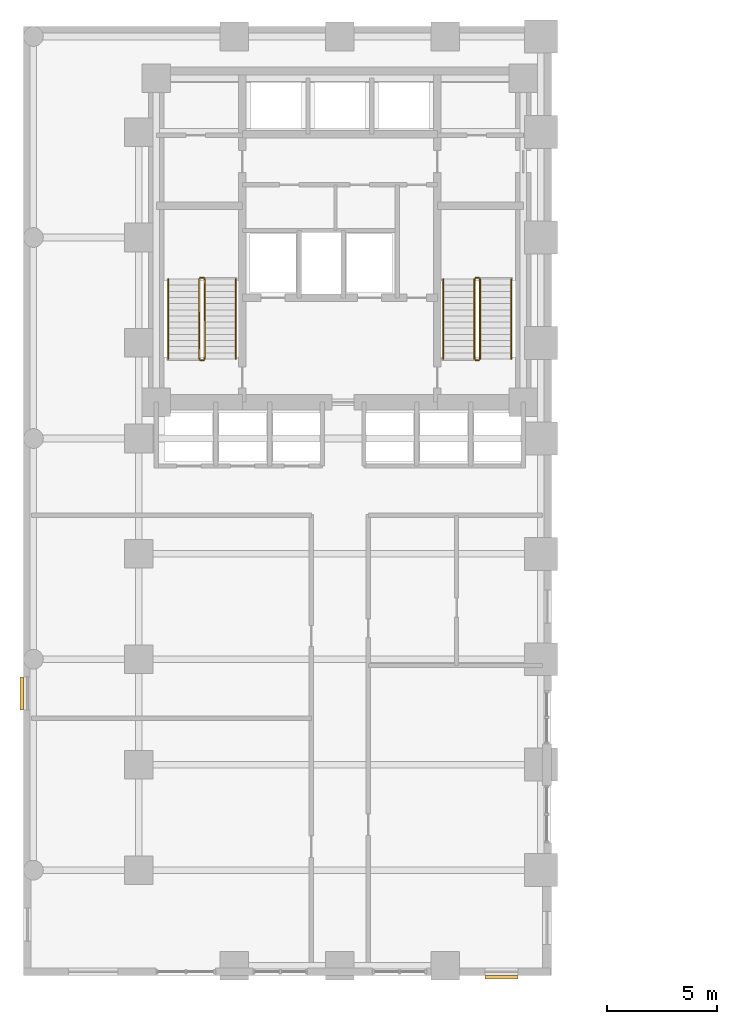
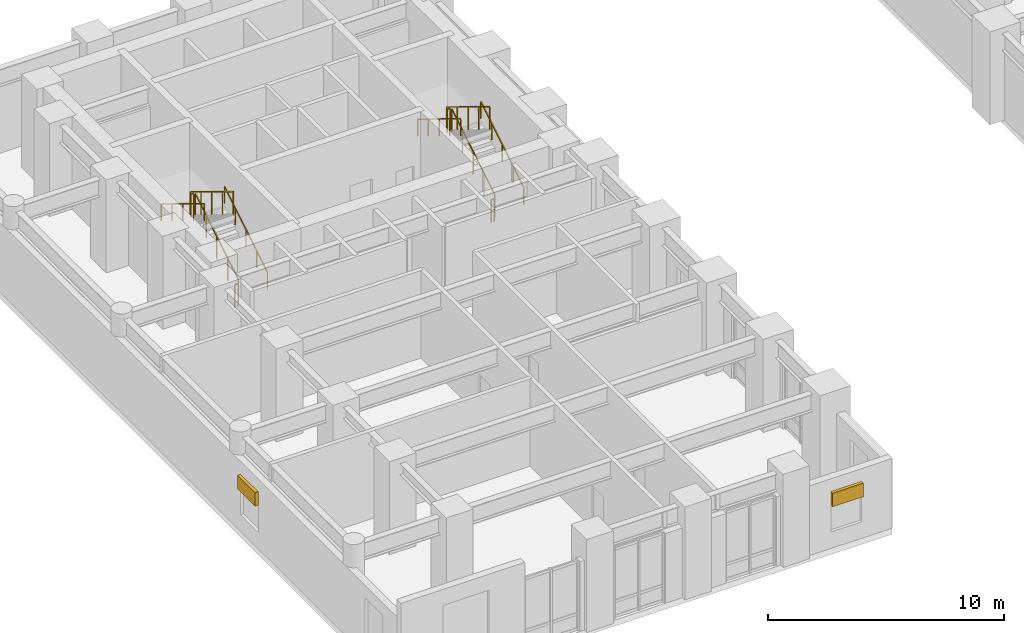
# One storey, part 9 of 11: 12 railings, 2 shading devices.
"""IFC4 building model written with IfcOpenShell, lengths in metres."""

from ifc_helpers import new_model, si_unit, direction, frame, origin, origin_2d, place, context, subcontext, project, spatial, rectangle, extrude, material, type_object, element, save


model = new_model("IFC4")

# Units and contexts
model_context = context("Model", 3, precision=1e-05, world=origin(), true_north=direction((0.0, 1.0)))
body_context = subcontext(model_context, "Body", "Model", "MODEL_VIEW")
ifc_project = project(units=[si_unit("LENGTHUNIT", "METRE"), si_unit("AREAUNIT", "SQUARE_METRE"), si_unit("VOLUMEUNIT", "CUBIC_METRE"), si_unit("PLANEANGLEUNIT", "RADIAN"), si_unit("MASSUNIT", "GRAM", prefix="KILO")], contexts=[model_context])

# Site, building, storey
site_placement = place(None, origin())
site = spatial("IfcSite", under=ifc_project, at=site_placement, CompositionType="ELEMENT")
building_placement = place(site_placement, origin())
building = spatial("IfcBuilding", under=site, at=building_placement, Name="Orvandelia Arch Residences", CompositionType="ELEMENT")
storey_placement = place(building_placement, frame((0.0, 0.0, 5.199951171875)))
storey = spatial("IfcBuildingStorey", under=building, at=storey_placement, Name="L01", CompositionType="ELEMENT", Elevation=5.199951171875)

# Railings
ifc_material_1 = material(Name="Brushed Stainless Steel 304", Category="steel")
railing_type_1 = type_object("IfcRailingType", Name="RL-STAIR-GD1120", PredefinedType="GUARDRAIL", material=ifc_material_1)
railing_1_placement = place(storey_placement, frame((8.25, 32.8701171875, 0.17138671875)))
element("IfcRailing", 1, at=railing_1_placement, inside=storey, type_object=railing_type_1, Name="L01 ST-1 stair guard 1", PredefinedType="GUARDRAIL", context=body_context, shape_type="SweptSolid", body=[
    extrude(rectangle(XDim=0.048095703125, YDim=0.048095703125, at=origin_2d()), frame((0.0, 0.0, 1.17578125), z_axis=(0.0, 0.852824790078, 0.522197163366), x_axis=(-1.0, 0.0, 0.0)), (0.0, 0.0, 1.0), 4.26806640625),
    extrude(rectangle(XDim=0.0419921875, YDim=0.0419921875, at=origin_2d()), origin(), (0.0, 0.0, 1.0), 1.15185546875),
    extrude(rectangle(XDim=0.0419921875, YDim=0.0419921875, at=origin_2d()), frame((0.0, 0.909912109375, 0.55712890625)), (0.0, 0.0, 1.0), 1.15185546875),
    extrude(rectangle(XDim=0.0419921875, YDim=0.0419921875, at=origin_2d()), frame((0.0, 1.81982421875, 1.1142578125)), (0.0, 0.0, 1.0), 1.15185546875),
    extrude(rectangle(XDim=0.0419921875, YDim=0.0419921875, at=origin_2d()), frame((0.0, 2.72998046875, 1.671630859375)), (0.0, 0.0, 1.0), 1.15185546875),
    extrude(rectangle(XDim=0.0419921875, YDim=0.0419921875, at=origin_2d()), frame((0.0, 3.639892578125, 2.228759765625)), (0.0, 0.0, 1.0), 1.15185546875),
])
railing_2_placement = place(storey_placement, frame((8.199951171875, 36.56005859375, 2.400146484375)))
element("IfcRailing", 2, at=railing_2_placement, inside=storey, type_object=railing_type_1, Name="L01 ST-1 stair guard 2", PredefinedType="GUARDRAIL", context=body_context, shape_type="SweptSolid", body=[
    extrude(rectangle(XDim=0.048095703125, YDim=0.048095703125, at=origin_2d()), frame((0.0, 0.0, 1.17578125), z_axis=(-1.0, 0.0, 0.0), x_axis=(0.0, -1.0, 0.0)), (0.0, 0.0, 1.0), 0.14990234375),
    extrude(rectangle(XDim=0.0419921875, YDim=0.0419921875, at=origin_2d()), origin(), (0.0, 0.0, 1.0), 1.15185546875),
    extrude(rectangle(XDim=0.0419921875, YDim=0.0419921875, at=origin_2d()), frame((-0.14990234375, 0.0, 0.0)), (0.0, 0.0, 1.0), 1.15185546875),
])
railing_3_placement = place(storey_placement, frame((8.0, 36.510009765625, 2.571533203125)))
element("IfcRailing", 3, at=railing_3_placement, inside=storey, type_object=railing_type_1, Name="L01 ST-1 stair guard 3", PredefinedType="GUARDRAIL", context=body_context, shape_type="SweptSolid", body=[
    extrude(rectangle(XDim=0.048095703125, YDim=0.048095703125, at=origin_2d()), frame((0.0, 0.0, 1.17578125), z_axis=(0.0, -0.852850264322, 0.5221555579), x_axis=(1.0, 0.0, 0.0)), (0.0, 0.0, 1.0), 4.267822265625),
    extrude(rectangle(XDim=0.0419921875, YDim=0.0419921875, at=origin_2d()), origin(), (0.0, 0.0, 1.0), 1.15185546875),
    extrude(rectangle(XDim=0.0419921875, YDim=0.0419921875, at=origin_2d()), frame((0.0, -0.909912109375, 0.55712890625)), (0.0, 0.0, 1.0), 1.15185546875),
    extrude(rectangle(XDim=0.0419921875, YDim=0.0419921875, at=origin_2d()), frame((0.0, -1.81982421875, 1.1142578125)), (0.0, 0.0, 1.0), 1.15185546875),
    extrude(rectangle(XDim=0.0419921875, YDim=0.0419921875, at=origin_2d()), frame((0.0, -2.72998046875, 1.67138671875)), (0.0, 0.0, 1.0), 1.15185546875),
    extrude(rectangle(XDim=0.0419921875, YDim=0.0419921875, at=origin_2d()), frame((0.0, -3.639892578125, 2.228515625)), (0.0, 0.0, 1.0), 1.15185546875),
])
railing_4_placement = place(storey_placement, frame((8.199951171875, 32.820068359375, 0.0)))
element("IfcRailing", 4, at=railing_4_placement, inside=storey, type_object=railing_type_1, Name="L01 ST-1 stair guard 4", PredefinedType="GUARDRAIL", context=body_context, shape_type="SweptSolid", body=[
    extrude(rectangle(XDim=0.048095703125, YDim=0.048095703125, at=origin_2d()), frame((0.0, 0.0, 1.17578125), z_axis=(-1.0, 0.0, 0.0), x_axis=(0.0, -1.0, 0.0)), (0.0, 0.0, 1.0), 0.14990234375),
    extrude(rectangle(XDim=0.0419921875, YDim=0.0419921875, at=origin_2d()), origin(), (0.0, 0.0, 1.0), 1.15185546875),
    extrude(rectangle(XDim=0.0419921875, YDim=0.0419921875, at=origin_2d()), frame((-0.14990234375, 0.0, 0.0)), (0.0, 0.0, 1.0), 1.15185546875),
])
railing_5_placement = place(storey_placement, frame((20.780029296875, 32.8701171875, 0.17138671875)))
element("IfcRailing", 5, at=railing_5_placement, inside=storey, type_object=railing_type_1, Name="L01 ST-2 stair guard 1", PredefinedType="GUARDRAIL", context=body_context, shape_type="SweptSolid", body=[
    extrude(rectangle(XDim=0.048095703125, YDim=0.048095703125, at=origin_2d()), frame((0.0, 0.0, 1.17578125), z_axis=(0.0, 0.852824790078, 0.522197163366), x_axis=(-1.0, 0.0, 0.0)), (0.0, 0.0, 1.0), 4.26806640625),
    extrude(rectangle(XDim=0.0419921875, YDim=0.0419921875, at=origin_2d()), origin(), (0.0, 0.0, 1.0), 1.15185546875),
    extrude(rectangle(XDim=0.0419921875, YDim=0.0419921875, at=origin_2d()), frame((0.0, 0.909912109375, 0.55712890625)), (0.0, 0.0, 1.0), 1.15185546875),
    extrude(rectangle(XDim=0.0419921875, YDim=0.0419921875, at=origin_2d()), frame((0.0, 1.81982421875, 1.1142578125)), (0.0, 0.0, 1.0), 1.15185546875),
    extrude(rectangle(XDim=0.0419921875, YDim=0.0419921875, at=origin_2d()), frame((0.0, 2.72998046875, 1.671630859375)), (0.0, 0.0, 1.0), 1.15185546875),
    extrude(rectangle(XDim=0.0419921875, YDim=0.0419921875, at=origin_2d()), frame((0.0, 3.639892578125, 2.228759765625)), (0.0, 0.0, 1.0), 1.15185546875),
])
railing_6_placement = place(storey_placement, frame((20.72998046875, 36.56005859375, 2.400146484375)))
element("IfcRailing", 6, at=railing_6_placement, inside=storey, type_object=railing_type_1, Name="L01 ST-2 stair guard 2", PredefinedType="GUARDRAIL", context=body_context, shape_type="SweptSolid", body=[
    extrude(rectangle(XDim=0.048095703125, YDim=0.048095703125, at=origin_2d()), frame((0.0, 0.0, 1.17578125), z_axis=(-1.0, 0.0, 0.0), x_axis=(0.0, -1.0, 0.0)), (0.0, 0.0, 1.0), 0.14990234375),
    extrude(rectangle(XDim=0.0419921875, YDim=0.0419921875, at=origin_2d()), origin(), (0.0, 0.0, 1.0), 1.15185546875),
    extrude(rectangle(XDim=0.0419921875, YDim=0.0419921875, at=origin_2d()), frame((-0.14990234375, 0.0, 0.0)), (0.0, 0.0, 1.0), 1.15185546875),
])
railing_7_placement = place(storey_placement, frame((20.530029296875, 36.510009765625, 2.571533203125)))
element("IfcRailing", 7, at=railing_7_placement, inside=storey, type_object=railing_type_1, Name="L01 ST-2 stair guard 3", PredefinedType="GUARDRAIL", context=body_context, shape_type="SweptSolid", body=[
    extrude(rectangle(XDim=0.048095703125, YDim=0.048095703125, at=origin_2d()), frame((0.0, 0.0, 1.17578125), z_axis=(0.0, -0.852850264322, 0.5221555579), x_axis=(1.0, 0.0, 0.0)), (0.0, 0.0, 1.0), 4.267822265625),
    extrude(rectangle(XDim=0.0419921875, YDim=0.0419921875, at=origin_2d()), origin(), (0.0, 0.0, 1.0), 1.15185546875),
    extrude(rectangle(XDim=0.0419921875, YDim=0.0419921875, at=origin_2d()), frame((0.0, -0.909912109375, 0.55712890625)), (0.0, 0.0, 1.0), 1.15185546875),
    extrude(rectangle(XDim=0.0419921875, YDim=0.0419921875, at=origin_2d()), frame((0.0, -1.81982421875, 1.1142578125)), (0.0, 0.0, 1.0), 1.15185546875),
    extrude(rectangle(XDim=0.0419921875, YDim=0.0419921875, at=origin_2d()), frame((0.0, -2.72998046875, 1.67138671875)), (0.0, 0.0, 1.0), 1.15185546875),
    extrude(rectangle(XDim=0.0419921875, YDim=0.0419921875, at=origin_2d()), frame((0.0, -3.639892578125, 2.228515625)), (0.0, 0.0, 1.0), 1.15185546875),
])
railing_8_placement = place(storey_placement, frame((20.72998046875, 32.820068359375, 0.0)))
element("IfcRailing", 8, at=railing_8_placement, inside=storey, type_object=railing_type_1, Name="L01 ST-2 stair guard 4", PredefinedType="GUARDRAIL", context=body_context, shape_type="SweptSolid", body=[
    extrude(rectangle(XDim=0.048095703125, YDim=0.048095703125, at=origin_2d()), frame((0.0, 0.0, 1.17578125), z_axis=(-1.0, 0.0, 0.0), x_axis=(0.0, -1.0, 0.0)), (0.0, 0.0, 1.0), 0.14990234375),
    extrude(rectangle(XDim=0.0419921875, YDim=0.0419921875, at=origin_2d()), origin(), (0.0, 0.0, 1.0), 1.15185546875),
    extrude(rectangle(XDim=0.0419921875, YDim=0.0419921875, at=origin_2d()), frame((-0.14990234375, 0.0, 0.0)), (0.0, 0.0, 1.0), 1.15185546875),
])
railing_type_2 = type_object("IfcRailingType", Name="RL-STAIR-HR920", PredefinedType="HANDRAIL", material=ifc_material_1)
railing_9_placement = place(storey_placement, frame((9.669921875, 32.8701171875, 0.343017578125)))
element("IfcRailing", 9, at=railing_9_placement, inside=storey, type_object=railing_type_2, Name="L01 ST-1 stair handrail 1", PredefinedType="HANDRAIL", context=body_context, shape_type="SweptSolid", body=[
    extrude(rectangle(XDim=0.048095703125, YDim=0.048095703125, at=origin_2d()), frame((0.0, 0.0, 0.8759765625), z_axis=(0.0, 0.852850264322, 0.5221555579), x_axis=(-1.0, 0.0, 0.0)), (0.0, 0.0, 1.0), 4.267822265625),
    extrude(rectangle(XDim=0.0419921875, YDim=0.0419921875, at=origin_2d()), origin(), (0.0, 0.0, 1.0), 0.851806640625),
    extrude(rectangle(XDim=0.0419921875, YDim=0.0419921875, at=origin_2d()), frame((0.0, 0.909912109375, 0.55712890625)), (0.0, 0.0, 1.0), 0.851806640625),
    extrude(rectangle(XDim=0.0419921875, YDim=0.0419921875, at=origin_2d()), frame((0.0, 1.81982421875, 1.1142578125)), (0.0, 0.0, 1.0), 0.851806640625),
    extrude(rectangle(XDim=0.0419921875, YDim=0.0419921875, at=origin_2d()), frame((0.0, 2.72998046875, 1.67138671875)), (0.0, 0.0, 1.0), 0.851806640625),
    extrude(rectangle(XDim=0.0419921875, YDim=0.0419921875, at=origin_2d()), frame((0.0, 3.639892578125, 2.228515625)), (0.0, 0.0, 1.0), 0.851806640625),
])
railing_10_placement = place(storey_placement, frame((6.580078125, 36.510009765625, 2.742919921875)))
element("IfcRailing", 10, at=railing_10_placement, inside=storey, type_object=railing_type_2, Name="L01 ST-1 stair handrail 2", PredefinedType="HANDRAIL", context=body_context, shape_type="SweptSolid", body=[
    extrude(rectangle(XDim=0.048095703125, YDim=0.048095703125, at=origin_2d()), frame((0.0, 0.0, 0.8759765625), z_axis=(0.0, -0.852850264322, 0.5221555579), x_axis=(1.0, 0.0, 0.0)), (0.0, 0.0, 1.0), 4.267822265625),
    extrude(rectangle(XDim=0.0419921875, YDim=0.0419921875, at=origin_2d()), origin(), (0.0, 0.0, 1.0), 0.851806640625),
    extrude(rectangle(XDim=0.0419921875, YDim=0.0419921875, at=origin_2d()), frame((0.0, -0.909912109375, 0.55712890625)), (0.0, 0.0, 1.0), 0.851806640625),
    extrude(rectangle(XDim=0.0419921875, YDim=0.0419921875, at=origin_2d()), frame((0.0, -1.81982421875, 1.1142578125)), (0.0, 0.0, 1.0), 0.851806640625),
    extrude(rectangle(XDim=0.0419921875, YDim=0.0419921875, at=origin_2d()), frame((0.0, -2.72998046875, 1.67138671875)), (0.0, 0.0, 1.0), 0.851806640625),
    extrude(rectangle(XDim=0.0419921875, YDim=0.0419921875, at=origin_2d()), frame((0.0, -3.639892578125, 2.228515625)), (0.0, 0.0, 1.0), 0.851806640625),
])
railing_11_placement = place(storey_placement, frame((22.199951171875, 32.8701171875, 0.343017578125)))
element("IfcRailing", 11, at=railing_11_placement, inside=storey, type_object=railing_type_2, Name="L01 ST-2 stair handrail 1", PredefinedType="HANDRAIL", context=body_context, shape_type="SweptSolid", body=[
    extrude(rectangle(XDim=0.048095703125, YDim=0.048095703125, at=origin_2d()), frame((0.0, 0.0, 0.8759765625), z_axis=(0.0, 0.852850264322, 0.5221555579), x_axis=(-1.0, 0.0, 0.0)), (0.0, 0.0, 1.0), 4.267822265625),
    extrude(rectangle(XDim=0.0419921875, YDim=0.0419921875, at=origin_2d()), origin(), (0.0, 0.0, 1.0), 0.851806640625),
    extrude(rectangle(XDim=0.0419921875, YDim=0.0419921875, at=origin_2d()), frame((0.0, 0.909912109375, 0.55712890625)), (0.0, 0.0, 1.0), 0.851806640625),
    extrude(rectangle(XDim=0.0419921875, YDim=0.0419921875, at=origin_2d()), frame((0.0, 1.81982421875, 1.1142578125)), (0.0, 0.0, 1.0), 0.851806640625),
    extrude(rectangle(XDim=0.0419921875, YDim=0.0419921875, at=origin_2d()), frame((0.0, 2.72998046875, 1.67138671875)), (0.0, 0.0, 1.0), 0.851806640625),
    extrude(rectangle(XDim=0.0419921875, YDim=0.0419921875, at=origin_2d()), frame((0.0, 3.639892578125, 2.228515625)), (0.0, 0.0, 1.0), 0.851806640625),
])
railing_12_placement = place(storey_placement, frame((19.110107421875, 36.510009765625, 2.742919921875)))
element("IfcRailing", 12, at=railing_12_placement, inside=storey, type_object=railing_type_2, Name="L01 ST-2 stair handrail 2", PredefinedType="HANDRAIL", context=body_context, shape_type="SweptSolid", body=[
    extrude(rectangle(XDim=0.048095703125, YDim=0.048095703125, at=origin_2d()), frame((0.0, 0.0, 0.8759765625), z_axis=(0.0, -0.852850264322, 0.5221555579), x_axis=(1.0, 0.0, 0.0)), (0.0, 0.0, 1.0), 4.267822265625),
    extrude(rectangle(XDim=0.0419921875, YDim=0.0419921875, at=origin_2d()), origin(), (0.0, 0.0, 1.0), 0.851806640625),
    extrude(rectangle(XDim=0.0419921875, YDim=0.0419921875, at=origin_2d()), frame((0.0, -0.909912109375, 0.55712890625)), (0.0, 0.0, 1.0), 0.851806640625),
    extrude(rectangle(XDim=0.0419921875, YDim=0.0419921875, at=origin_2d()), frame((0.0, -1.81982421875, 1.1142578125)), (0.0, 0.0, 1.0), 0.851806640625),
    extrude(rectangle(XDim=0.0419921875, YDim=0.0419921875, at=origin_2d()), frame((0.0, -2.72998046875, 1.67138671875)), (0.0, 0.0, 1.0), 0.851806640625),
    extrude(rectangle(XDim=0.0419921875, YDim=0.0419921875, at=origin_2d()), frame((0.0, -3.639892578125, 2.228515625)), (0.0, 0.0, 1.0), 0.851806640625),
])

# Shading devices
ifc_material_2 = material(Name="Anodised Champagne-Bronze Extruded Aluminium", Category="aluminium")
shading_device_type = type_object("IfcShadingDeviceType", Name="SHD-JALOUSIE-SCREEN", PredefinedType="JALOUSIE", material=ifc_material_2)
for number, where, z_axis, x_axis, name in (
    (13, (21.75, 4.719970703125, 2.25), (0.0, 0.0, 1.0), (-1.0, 0.0, 0.0), "Bronze Jalousie Sun-Shade L01-001"),
    (14, (-0.080078125, 17.64990234375, 2.25), (0.0, 0.0, 1.0), (0.0, 1.0, 0.0), "Bronze Jalousie Sun-Shade L01-002"),
):
    element("IfcShadingDevice", number, at=place(storey_placement, frame(where, z_axis=z_axis, x_axis=x_axis)), inside=storey, type_object=shading_device_type, Name=name, PredefinedType="JALOUSIE", context=body_context, shape_type="SweptSolid", body=[
        extrude(rectangle(XDim=1.5, YDim=0.159912109375, at=origin_2d()), origin(), (0.0, 0.0, 1.0), 0.699951171875),
    ])

save(model, "model.ifc")
